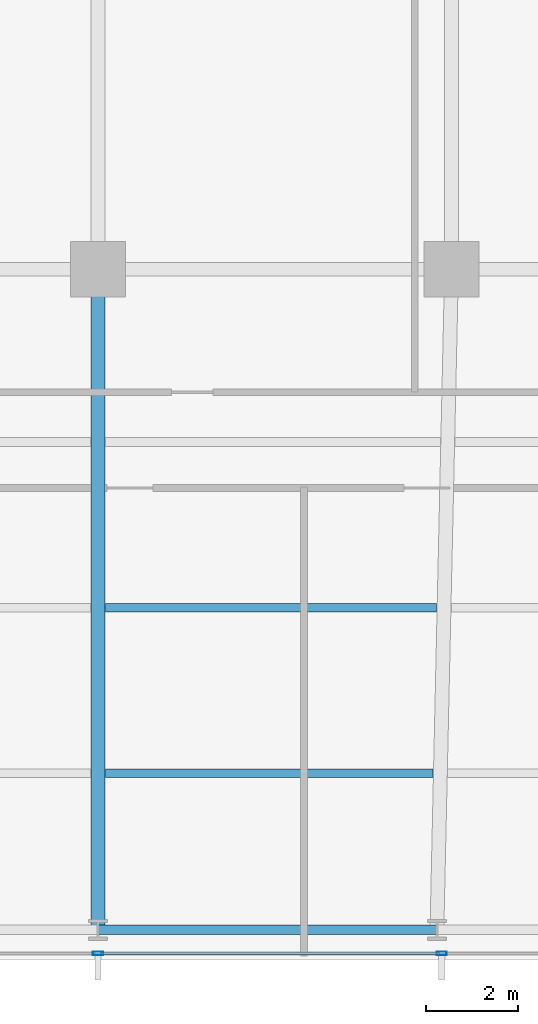
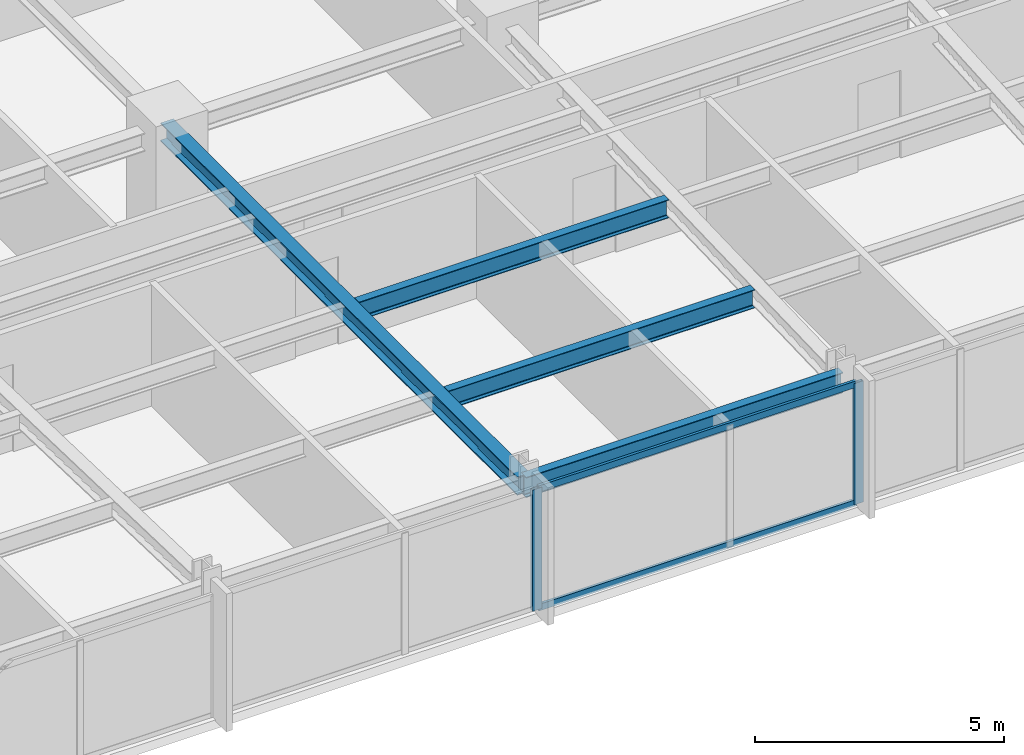
# One storey, part 11 of 32: 4 beams, 4 members, 1 element without a shape of its own.
"""IFC4 building model written with IfcOpenShell, lengths in metres."""

from ifc_helpers import new_model, si_unit, direction, frame, origin, origin_2d, place, context, subcontext, project, spatial, hollow_rectangle, i_section, extrude, material, material_profile, profile_set, type_object, element, aggregate, save


model = new_model("IFC4")

# Units and contexts
model_context = context("Model", 3, precision=1e-05, world=origin(), true_north=direction((0.0, 1.0)))
body_context = subcontext(model_context, "Body", "Model", "MODEL_VIEW")
ifc_project = project(units=[si_unit("LENGTHUNIT", "METRE"), si_unit("AREAUNIT", "SQUARE_METRE"), si_unit("VOLUMEUNIT", "CUBIC_METRE"), si_unit("PLANEANGLEUNIT", "RADIAN"), si_unit("MASSUNIT", "GRAM", prefix="KILO")], contexts=[model_context])

# Site, building, storey
site_placement = place(None, origin())
site = spatial("IfcSite", under=ifc_project, at=site_placement, CompositionType="ELEMENT")
building_placement = place(site_placement, origin())
building = spatial("IfcBuilding", under=site, at=building_placement, Name="Yelkora Congress Tower", CompositionType="ELEMENT")
storey_placement = place(building_placement, frame((0.0, 0.0, 74.60009765625)))
storey = spatial("IfcBuildingStorey", under=building, at=storey_placement, Name="L19", CompositionType="ELEMENT", Elevation=74.60009765625)

# Beams
ifc_material_1 = material(Name="Steel S355J2", Category="steel")
ifc_material_profile_1 = material_profile(ifc_material_1, i_section(OverallWidth=0.300048828125, OverallDepth=0.449951171875, WebThickness=0.013916015625, FlangeThickness=0.02587890625, FilletRadius=0.027099609375, at=origin_2d()), Name="HEB 450")
ifc_profile_set_1 = profile_set([ifc_material_profile_1], Name="Steel S355J2")
beam_type_1 = type_object("IfcBeamType", Name="BM-GIRD-HEB450", PredefinedType="BEAM", material=ifc_profile_set_1)
beam_1_placement = place(storey_placement, frame((38.39990234375, 10.85009765625, 2.7548828125), z_axis=(0.0, 1.0, 0.0), x_axis=(-1.0, 0.0, 0.0)))
element("IfcBeam", 1, at=beam_1_placement, inside=storey, type_object=beam_type_1, Name="L19 Primary Frame Girder S05", PredefinedType="BEAM", context=body_context, shape_type="SweptSolid", body=[
    extrude(i_section(OverallWidth=0.300048828125, OverallDepth=0.449951171875, WebThickness=0.013916015625, FlangeThickness=0.02587890625, FilletRadius=0.027099609375, at=origin_2d()), origin(), (0.0, 0.0, 1.0), 14.349853515625),
])
ifc_material_profile_2 = material_profile(ifc_material_1, i_section(OverallWidth=0.18994140625, OverallDepth=0.449951171875, WebThickness=0.009521484375, FlangeThickness=0.0146484375, FilletRadius=0.02099609375, at=origin_2d()), Name="IPE 450")
ifc_profile_set_2 = profile_set([ifc_material_profile_2], Name="Steel S355J2")
beam_type_2 = type_object("IfcBeamType", Name="BM-JOIST-IPE450", PredefinedType="JOIST", material=ifc_profile_set_2)
beam_2_placement = place(storey_placement, frame((38.56005859375, 14.25, 2.7548828125), z_axis=(1.0, 0.0, 0.0), x_axis=(0.0, 1.0, 0.0)))
element("IfcBeam", 2, at=beam_2_placement, inside=storey, type_object=beam_type_2, Name="L19 Composite Floor Joist 5", PredefinedType="JOIST", context=body_context, shape_type="SweptSolid", body=[
    extrude(i_section(OverallWidth=0.18994140625, OverallDepth=0.449951171875, WebThickness=0.009521484375, FlangeThickness=0.0146484375, FilletRadius=0.02099609375, at=origin_2d()), origin(), (0.0, 0.0, 1.0), 7.11767578125),
])
beam_3_placement = place(storey_placement, frame((38.56005859375, 17.85009765625, 2.7548828125), z_axis=(1.0, 0.0, 0.0), x_axis=(0.0, 1.0, 0.0)))
element("IfcBeam", 3, at=beam_3_placement, inside=storey, type_object=beam_type_2, Name="L19 Composite Floor Joist 13", PredefinedType="JOIST", context=body_context, shape_type="SweptSolid", body=[
    extrude(i_section(OverallWidth=0.18994140625, OverallDepth=0.449951171875, WebThickness=0.009521484375, FlangeThickness=0.0146484375, FilletRadius=0.02099609375, at=origin_2d()), origin(), (0.0, 0.0, 1.0), 7.197265625),
])
ifc_material_profile_3 = material_profile(ifc_material_1, i_section(OverallWidth=0.199951171875, OverallDepth=0.5, WebThickness=0.01025390625, FlangeThickness=0.01611328125, FilletRadius=0.02099609375, at=origin_2d()), Name="IPE 500")
ifc_profile_set_3 = profile_set([ifc_material_profile_3], Name="Steel S355J2")
beam_type_3 = type_object("IfcBeamType", Name="BM-SPAN-IPE500", PredefinedType="SPANDREL", material=ifc_profile_set_3)
beam_4_placement = place(storey_placement, frame((38.39990234375, 10.85009765625, 2.72998046875), z_axis=(1.0, 0.0, 0.0), x_axis=(0.0, 1.0, 0.0)))
element("IfcBeam", 4, at=beam_4_placement, inside=storey, type_object=beam_type_3, Name="L19 Perimeter Beam 6", PredefinedType="SPANDREL", context=body_context, shape_type="SweptSolid", body=[
    extrude(i_section(OverallWidth=0.199951171875, OverallDepth=0.5, WebThickness=0.01025390625, FlangeThickness=0.01611328125, FilletRadius=0.02099609375, at=origin_2d()), origin(), (0.0, 0.0, 1.0), 7.362548828125),
])

# Curtain wall, members
ifc_material_2 = material(Name="Anodised aluminium and insulated glass", Category="aluminium")
curtain_wall_type = type_object("IfcCurtainWallType", Name="CW-SYS-B1", PredefinedType="NOTDEFINED", material=ifc_material_2)
curtain_wall_placement = place(storey_placement, origin())
curtain_wall = element("IfcCurtainWall", 5, at=curtain_wall_placement, inside=storey, type_object=curtain_wall_type, Name="L19 Unitised Curtain Wall 20", PredefinedType="NOTDEFINED")
ifc_material_3 = material(Name="Anodised aluminium 6063-T6", Category="aluminium")
ifc_material_profile_4 = material_profile(ifc_material_3, hollow_rectangle(XDim=0.074951171875, YDim=0.219970703125, WallThickness=0.0048828125, at=origin_2d()), Name="ALU 75x220x5")
ifc_profile_set_4 = profile_set([ifc_material_profile_4], Name="Anodised aluminium 6063-T6")
member_type_1 = type_object("IfcMemberType", Name="MEM-ML-B1", PredefinedType="MULLION", material=ifc_profile_set_4)
member_1_placement = place(storey_placement, frame((45.864990234375, 10.340087890625, 0.0), z_axis=(0.0, 0.0, 1.0), x_axis=(0.0, -1.0, 0.0)))
member_1 = element("IfcMember", 6, at=member_1_placement, type_object=member_type_1, Name="CW-B1 mullion 4", PredefinedType="MULLION", context=body_context, shape_type="SweptSolid", body=[
    extrude(hollow_rectangle(XDim=0.074951171875, YDim=0.219970703125, WallThickness=0.0048828125, at=origin_2d()), origin(), (0.0, 0.0, 1.0), 2.97998046875),
])
member_2_placement = place(storey_placement, frame((38.39990234375, 10.340087890625, 0.0), z_axis=(0.0, 0.0, 1.0), x_axis=(0.0, -1.0, 0.0)))
member_2 = element("IfcMember", 7, at=member_2_placement, type_object=member_type_1, Name="CW-B1 mullion 5", PredefinedType="MULLION", context=body_context, shape_type="SweptSolid", body=[
    extrude(hollow_rectangle(XDim=0.074951171875, YDim=0.219970703125, WallThickness=0.0048828125, at=origin_2d()), origin(), (0.0, 0.0, 1.0), 2.97998046875),
])
ifc_material_profile_5 = material_profile(ifc_material_3, hollow_rectangle(XDim=0.06494140625, YDim=0.159912109375, WallThickness=0.00390625, at=origin_2d()), Name="ALU 65x160x4")
ifc_profile_set_5 = profile_set([ifc_material_profile_5], Name="Anodised aluminium 6063-T6")
member_type_2 = type_object("IfcMemberType", Name="MEM-TR-B1", PredefinedType="USERDEFINED", material=ifc_profile_set_5)
member_3_placement = place(storey_placement, frame((45.827392578125, 10.340087890625, 0.032470703125), z_axis=(-1.0, 0.0, 0.0), x_axis=(0.0, -1.0, 0.0)))
member_3 = element("IfcMember", 8, at=member_3_placement, type_object=member_type_2, Name="CW-B1 transom 4.1", ObjectType="TRANSOM", PredefinedType="USERDEFINED", context=body_context, shape_type="SweptSolid", body=[
    extrude(hollow_rectangle(XDim=0.06494140625, YDim=0.159912109375, WallThickness=0.00390625, at=origin_2d()), origin(), (0.0, 0.0, 1.0), 7.389892578125),
])
member_4_placement = place(storey_placement, frame((45.827392578125, 10.340087890625, 2.947509765625), z_axis=(-1.0, 0.0, 0.0), x_axis=(0.0, -1.0, 0.0)))
member_4 = element("IfcMember", 9, at=member_4_placement, type_object=member_type_2, Name="CW-B1 transom 4.2", ObjectType="TRANSOM", PredefinedType="USERDEFINED", context=body_context, shape_type="SweptSolid", body=[
    extrude(hollow_rectangle(XDim=0.06494140625, YDim=0.159912109375, WallThickness=0.00390625, at=origin_2d()), origin(), (0.0, 0.0, 1.0), 7.389892578125),
])
aggregate(curtain_wall, [member_1, member_2, member_3, member_4])

save(model, "model.ifc")
